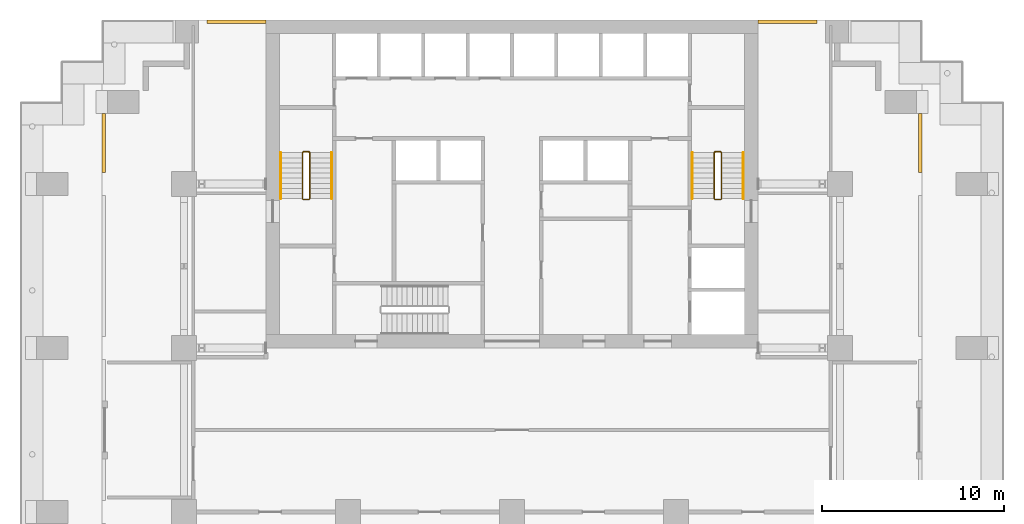
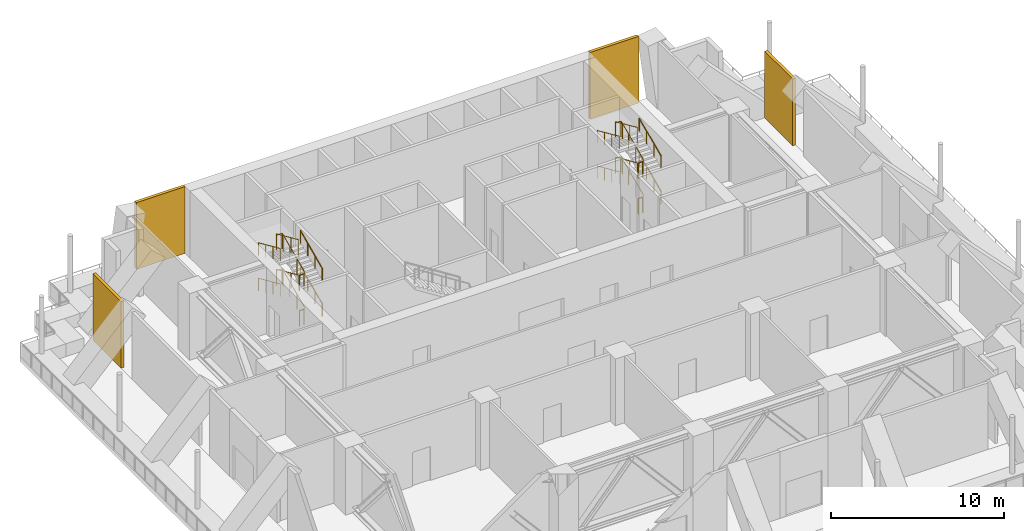
# One storey, part 8 of 9: 16 railings, 4 shading devices.
"""IFC4 building model written with IfcOpenShell, lengths in metres."""

from ifc_helpers import new_model, si_unit, direction, frame, origin, origin_2d, place, context, subcontext, project, spatial, polyline, circle, outline, extrude, material, layer, layer_set, type_object, element, save


model = new_model("IFC4")

# Units and contexts
model_context = context("Model", 3, precision=1e-05, world=origin(), true_north=direction((0.0, 1.0)))
body_context = subcontext(model_context, "Body", "Model", "MODEL_VIEW")
ifc_project = project(units=[si_unit("LENGTHUNIT", "METRE"), si_unit("AREAUNIT", "SQUARE_METRE"), si_unit("VOLUMEUNIT", "CUBIC_METRE"), si_unit("PLANEANGLEUNIT", "RADIAN"), si_unit("MASSUNIT", "GRAM", prefix="KILO")], contexts=[model_context])

# Site, building, storey
site_placement = place(None, origin())
site = spatial("IfcSite", under=ifc_project, at=site_placement, CompositionType="ELEMENT")
building_placement = place(site_placement, origin())
building = spatial("IfcBuilding", under=site, at=building_placement, Name="Orbiselva Terraces", CompositionType="ELEMENT")
storey_placement = place(building_placement, frame((0.0, 0.0, 115.0)))
storey = spatial("IfcBuildingStorey", under=building, at=storey_placement, Name="L29", CompositionType="ELEMENT", Elevation=115.0)

# Railings
ifc_material_1 = material(Name="Stainless steel", Category="steel")
railing_type_1 = type_object("IfcRailingType", Name="CORE-GUARD-1100", PredefinedType="GUARDRAIL", material=ifc_material_1)
railing_1_placement = place(storey_placement, frame((-11.1, 12.7, 0.125)))
element("IfcRailing", 1, at=railing_1_placement, inside=storey, type_object=railing_type_1, Name="L29 S1 stair guard 1", PredefinedType="GUARDRAIL", context=body_context, shape_type="SweptSolid", body=[
    extrude(circle(Radius=0.024, at=origin_2d()), frame((0.0, 0.0, 1.081), z_axis=(0.0, 0.913137882438, 0.407650840374), x_axis=(-1.0, 0.0, 0.0)), (0.0, 0.0, 1.0), 2.759715),
    extrude(circle(Radius=0.024, at=origin_2d()), frame((0.0, 2.52, 2.206), z_axis=(-0.707106781187, 0.707106781187, 0.0), x_axis=(-0.707106781187, -0.707106781187, 0.0)), (0.0, 0.0, 1.0), 0.070711),
    extrude(circle(Radius=0.024, at=origin_2d()), frame((-0.05, 2.57, 2.206), z_axis=(-1.0, 0.0, 0.0), x_axis=(0.0, -1.0, 0.0)), (0.0, 0.0, 1.0), 0.3),
    extrude(circle(Radius=0.024, at=origin_2d()), frame((-0.35, 2.57, 2.206), z_axis=(-0.348155311911, -0.348155311911, 0.870388279778), x_axis=(0.707106781187, -0.707106781187, 0.0)), (0.0, 0.0, 1.0), 0.143614),
    extrude(circle(Radius=0.024, at=origin_2d()), frame((-0.4, 2.52, 2.331), z_axis=(0.0, -0.913137882438, 0.407650840374), x_axis=(1.0, 0.0, 0.0)), (0.0, 0.0, 1.0), 2.759715),
    extrude(circle(Radius=0.021, at=origin_2d()), origin(), (0.0, 0.0, 1.0), 1.057),
    extrude(circle(Radius=0.021, at=origin_2d()), frame((0.0, 0.84, 0.375)), (0.0, 0.0, 1.0), 1.057),
    extrude(circle(Radius=0.021, at=origin_2d()), frame((0.0, 1.68, 0.75)), (0.0, 0.0, 1.0), 1.057),
    extrude(circle(Radius=0.021, at=origin_2d()), frame((0.0, 2.52, 1.125)), (0.0, 0.0, 1.0), 1.057),
    extrude(circle(Radius=0.021, at=origin_2d()), frame((-0.05, 2.57, 1.125)), (0.0, 0.0, 1.0), 1.057),
    extrude(circle(Radius=0.021, at=origin_2d()), frame((-0.35, 2.57, 1.125)), (0.0, 0.0, 1.0), 1.057),
    extrude(circle(Radius=0.021, at=origin_2d()), frame((-0.4, 2.52, 1.25)), (0.0, 0.0, 1.0), 1.057),
    extrude(circle(Radius=0.021, at=origin_2d()), frame((-0.4, 1.68, 1.625)), (0.0, 0.0, 1.0), 1.057),
    extrude(circle(Radius=0.021, at=origin_2d()), frame((-0.4, 0.84, 2.0)), (0.0, 0.0, 1.0), 1.057),
    extrude(circle(Radius=0.021, at=origin_2d()), frame((-0.4, 0.0, 2.375)), (0.0, 0.0, 1.0), 1.057),
])
railing_2_placement = place(storey_placement, frame((-11.15, 12.65, 2.5)))
element("IfcRailing", 2, at=railing_2_placement, inside=storey, type_object=railing_type_1, Name="L29 S1 stair guard 2", PredefinedType="GUARDRAIL", context=body_context, shape_type="SweptSolid", body=[
    extrude(circle(Radius=0.024, at=origin_2d()), frame((0.0, 0.0, 1.081), z_axis=(-1.0, 0.0, 0.0), x_axis=(0.0, -1.0, 0.0)), (0.0, 0.0, 1.0), 0.3),
    extrude(circle(Radius=0.021, at=origin_2d()), origin(), (0.0, 0.0, 1.0), 1.057),
    extrude(circle(Radius=0.021, at=origin_2d()), frame((-0.3, 0.0, 0.0)), (0.0, 0.0, 1.0), 1.057),
])
railing_3_placement = place(storey_placement, frame((-11.1, 12.7, 2.625)))
element("IfcRailing", 3, at=railing_3_placement, inside=storey, type_object=railing_type_1, Name="L29 S1 stair guard 3", PredefinedType="GUARDRAIL", context=body_context, shape_type="SweptSolid", body=[
    extrude(circle(Radius=0.024, at=origin_2d()), frame((0.0, 0.0, 1.081), z_axis=(0.0, 0.913137882438, 0.407650840374), x_axis=(-1.0, 0.0, 0.0)), (0.0, 0.0, 1.0), 2.759715),
    extrude(circle(Radius=0.024, at=origin_2d()), frame((0.0, 2.52, 2.206), z_axis=(-0.707106781187, 0.707106781187, 0.0), x_axis=(-0.707106781187, -0.707106781187, 0.0)), (0.0, 0.0, 1.0), 0.070711),
    extrude(circle(Radius=0.024, at=origin_2d()), frame((-0.05, 2.57, 2.206), z_axis=(-1.0, 0.0, 0.0), x_axis=(0.0, -1.0, 0.0)), (0.0, 0.0, 1.0), 0.3),
    extrude(circle(Radius=0.024, at=origin_2d()), frame((-0.35, 2.57, 2.206), z_axis=(-0.348155311911, -0.348155311911, 0.870388279778), x_axis=(0.707106781187, -0.707106781187, 0.0)), (0.0, 0.0, 1.0), 0.143614),
    extrude(circle(Radius=0.024, at=origin_2d()), frame((-0.4, 2.52, 2.331), z_axis=(0.0, -0.913137882438, 0.407650840374), x_axis=(1.0, 0.0, 0.0)), (0.0, 0.0, 1.0), 2.759715),
    extrude(circle(Radius=0.021, at=origin_2d()), origin(), (0.0, 0.0, 1.0), 1.057),
    extrude(circle(Radius=0.021, at=origin_2d()), frame((0.0, 0.84, 0.375)), (0.0, 0.0, 1.0), 1.057),
    extrude(circle(Radius=0.021, at=origin_2d()), frame((0.0, 1.68, 0.75)), (0.0, 0.0, 1.0), 1.057),
    extrude(circle(Radius=0.021, at=origin_2d()), frame((0.0, 2.52, 1.125)), (0.0, 0.0, 1.0), 1.057),
    extrude(circle(Radius=0.021, at=origin_2d()), frame((-0.05, 2.57, 1.125)), (0.0, 0.0, 1.0), 1.057),
    extrude(circle(Radius=0.021, at=origin_2d()), frame((-0.35, 2.57, 1.125)), (0.0, 0.0, 1.0), 1.057),
    extrude(circle(Radius=0.021, at=origin_2d()), frame((-0.4, 2.52, 1.25)), (0.0, 0.0, 1.0), 1.057),
    extrude(circle(Radius=0.021, at=origin_2d()), frame((-0.4, 1.68, 1.625)), (0.0, 0.0, 1.0), 1.057),
    extrude(circle(Radius=0.021, at=origin_2d()), frame((-0.4, 0.84, 2.0)), (0.0, 0.0, 1.0), 1.057),
    extrude(circle(Radius=0.021, at=origin_2d()), frame((-0.4, 0.0, 2.375)), (0.0, 0.0, 1.0), 1.057),
])
railing_4_placement = place(storey_placement, frame((-11.15, 12.65, 0.0)))
element("IfcRailing", 4, at=railing_4_placement, inside=storey, type_object=railing_type_1, Name="L29 S1 stair guard 4", PredefinedType="GUARDRAIL", context=body_context, shape_type="SweptSolid", body=[
    extrude(circle(Radius=0.024, at=origin_2d()), frame((0.0, 0.0, 1.081), z_axis=(-1.0, 0.0, 0.0), x_axis=(0.0, -1.0, 0.0)), (0.0, 0.0, 1.0), 0.3),
    extrude(circle(Radius=0.021, at=origin_2d()), origin(), (0.0, 0.0, 1.0), 1.057),
    extrude(circle(Radius=0.021, at=origin_2d()), frame((-0.3, 0.0, 0.0)), (0.0, 0.0, 1.0), 1.057),
])
railing_5_placement = place(storey_placement, frame((11.5, 12.7, 0.125)))
element("IfcRailing", 5, at=railing_5_placement, inside=storey, type_object=railing_type_1, Name="L29 S2 stair guard 1", PredefinedType="GUARDRAIL", context=body_context, shape_type="SweptSolid", body=[
    extrude(circle(Radius=0.024, at=origin_2d()), frame((0.0, 0.0, 1.081), z_axis=(0.0, 0.913137882438, 0.407650840374), x_axis=(-1.0, 0.0, 0.0)), (0.0, 0.0, 1.0), 2.759715),
    extrude(circle(Radius=0.024, at=origin_2d()), frame((0.0, 2.52, 2.206), z_axis=(-0.707106781187, 0.707106781187, 0.0), x_axis=(-0.707106781187, -0.707106781187, 0.0)), (0.0, 0.0, 1.0), 0.070711),
    extrude(circle(Radius=0.024, at=origin_2d()), frame((-0.05, 2.57, 2.206), z_axis=(-1.0, 0.0, 0.0), x_axis=(0.0, -1.0, 0.0)), (0.0, 0.0, 1.0), 0.3),
    extrude(circle(Radius=0.024, at=origin_2d()), frame((-0.35, 2.57, 2.206), z_axis=(-0.348155311911, -0.348155311911, 0.870388279778), x_axis=(0.707106781187, -0.707106781187, 0.0)), (0.0, 0.0, 1.0), 0.143614),
    extrude(circle(Radius=0.024, at=origin_2d()), frame((-0.4, 2.52, 2.331), z_axis=(0.0, -0.913137882438, 0.407650840374), x_axis=(1.0, 0.0, 0.0)), (0.0, 0.0, 1.0), 2.759715),
    extrude(circle(Radius=0.021, at=origin_2d()), origin(), (0.0, 0.0, 1.0), 1.057),
    extrude(circle(Radius=0.021, at=origin_2d()), frame((0.0, 0.84, 0.375)), (0.0, 0.0, 1.0), 1.057),
    extrude(circle(Radius=0.021, at=origin_2d()), frame((0.0, 1.68, 0.75)), (0.0, 0.0, 1.0), 1.057),
    extrude(circle(Radius=0.021, at=origin_2d()), frame((0.0, 2.52, 1.125)), (0.0, 0.0, 1.0), 1.057),
    extrude(circle(Radius=0.021, at=origin_2d()), frame((-0.05, 2.57, 1.125)), (0.0, 0.0, 1.0), 1.057),
    extrude(circle(Radius=0.021, at=origin_2d()), frame((-0.35, 2.57, 1.125)), (0.0, 0.0, 1.0), 1.057),
    extrude(circle(Radius=0.021, at=origin_2d()), frame((-0.4, 2.52, 1.25)), (0.0, 0.0, 1.0), 1.057),
    extrude(circle(Radius=0.021, at=origin_2d()), frame((-0.4, 1.68, 1.625)), (0.0, 0.0, 1.0), 1.057),
    extrude(circle(Radius=0.021, at=origin_2d()), frame((-0.4, 0.84, 2.0)), (0.0, 0.0, 1.0), 1.057),
    extrude(circle(Radius=0.021, at=origin_2d()), frame((-0.4, 0.0, 2.375)), (0.0, 0.0, 1.0), 1.057),
])
railing_6_placement = place(storey_placement, frame((11.45, 12.65, 2.5)))
element("IfcRailing", 6, at=railing_6_placement, inside=storey, type_object=railing_type_1, Name="L29 S2 stair guard 2", PredefinedType="GUARDRAIL", context=body_context, shape_type="SweptSolid", body=[
    extrude(circle(Radius=0.024, at=origin_2d()), frame((0.0, 0.0, 1.081), z_axis=(-1.0, 0.0, 0.0), x_axis=(0.0, -1.0, 0.0)), (0.0, 0.0, 1.0), 0.3),
    extrude(circle(Radius=0.021, at=origin_2d()), origin(), (0.0, 0.0, 1.0), 1.057),
    extrude(circle(Radius=0.021, at=origin_2d()), frame((-0.3, 0.0, 0.0)), (0.0, 0.0, 1.0), 1.057),
])
railing_7_placement = place(storey_placement, frame((11.5, 12.7, 2.625)))
element("IfcRailing", 7, at=railing_7_placement, inside=storey, type_object=railing_type_1, Name="L29 S2 stair guard 3", PredefinedType="GUARDRAIL", context=body_context, shape_type="SweptSolid", body=[
    extrude(circle(Radius=0.024, at=origin_2d()), frame((0.0, 0.0, 1.081), z_axis=(0.0, 0.913137882438, 0.407650840374), x_axis=(-1.0, 0.0, 0.0)), (0.0, 0.0, 1.0), 2.759715),
    extrude(circle(Radius=0.024, at=origin_2d()), frame((0.0, 2.52, 2.206), z_axis=(-0.707106781187, 0.707106781187, 0.0), x_axis=(-0.707106781187, -0.707106781187, 0.0)), (0.0, 0.0, 1.0), 0.070711),
    extrude(circle(Radius=0.024, at=origin_2d()), frame((-0.05, 2.57, 2.206), z_axis=(-1.0, 0.0, 0.0), x_axis=(0.0, -1.0, 0.0)), (0.0, 0.0, 1.0), 0.3),
    extrude(circle(Radius=0.024, at=origin_2d()), frame((-0.35, 2.57, 2.206), z_axis=(-0.348155311911, -0.348155311911, 0.870388279778), x_axis=(0.707106781187, -0.707106781187, 0.0)), (0.0, 0.0, 1.0), 0.143614),
    extrude(circle(Radius=0.024, at=origin_2d()), frame((-0.4, 2.52, 2.331), z_axis=(0.0, -0.913137882438, 0.407650840374), x_axis=(1.0, 0.0, 0.0)), (0.0, 0.0, 1.0), 2.759715),
    extrude(circle(Radius=0.021, at=origin_2d()), origin(), (0.0, 0.0, 1.0), 1.057),
    extrude(circle(Radius=0.021, at=origin_2d()), frame((0.0, 0.84, 0.375)), (0.0, 0.0, 1.0), 1.057),
    extrude(circle(Radius=0.021, at=origin_2d()), frame((0.0, 1.68, 0.75)), (0.0, 0.0, 1.0), 1.057),
    extrude(circle(Radius=0.021, at=origin_2d()), frame((0.0, 2.52, 1.125)), (0.0, 0.0, 1.0), 1.057),
    extrude(circle(Radius=0.021, at=origin_2d()), frame((-0.05, 2.57, 1.125)), (0.0, 0.0, 1.0), 1.057),
    extrude(circle(Radius=0.021, at=origin_2d()), frame((-0.35, 2.57, 1.125)), (0.0, 0.0, 1.0), 1.057),
    extrude(circle(Radius=0.021, at=origin_2d()), frame((-0.4, 2.52, 1.25)), (0.0, 0.0, 1.0), 1.057),
    extrude(circle(Radius=0.021, at=origin_2d()), frame((-0.4, 1.68, 1.625)), (0.0, 0.0, 1.0), 1.057),
    extrude(circle(Radius=0.021, at=origin_2d()), frame((-0.4, 0.84, 2.0)), (0.0, 0.0, 1.0), 1.057),
    extrude(circle(Radius=0.021, at=origin_2d()), frame((-0.4, 0.0, 2.375)), (0.0, 0.0, 1.0), 1.057),
])
railing_8_placement = place(storey_placement, frame((11.45, 12.65, 0.0)))
element("IfcRailing", 8, at=railing_8_placement, inside=storey, type_object=railing_type_1, Name="L29 S2 stair guard 4", PredefinedType="GUARDRAIL", context=body_context, shape_type="SweptSolid", body=[
    extrude(circle(Radius=0.024, at=origin_2d()), frame((0.0, 0.0, 1.081), z_axis=(-1.0, 0.0, 0.0), x_axis=(0.0, -1.0, 0.0)), (0.0, 0.0, 1.0), 0.3),
    extrude(circle(Radius=0.021, at=origin_2d()), origin(), (0.0, 0.0, 1.0), 1.057),
    extrude(circle(Radius=0.021, at=origin_2d()), frame((-0.3, 0.0, 0.0)), (0.0, 0.0, 1.0), 1.057),
])
railing_type_2 = type_object("IfcRailingType", Name="CORE-HANDRAIL-900", PredefinedType="HANDRAIL", material=ifc_material_1)
railing_9_placement = place(storey_placement, frame((-9.9, 12.7, 0.125)))
element("IfcRailing", 9, at=railing_9_placement, inside=storey, type_object=railing_type_2, Name="L29 S1 stair handrail 1", PredefinedType="HANDRAIL", context=body_context, shape_type="SweptSolid", body=[
    extrude(circle(Radius=0.024, at=origin_2d()), frame((0.0, 0.0, 0.876), z_axis=(0.0, 0.913137882438, 0.407650840374), x_axis=(-1.0, 0.0, 0.0)), (0.0, 0.0, 1.0), 2.759715),
    extrude(circle(Radius=0.021, at=origin_2d()), origin(), (0.0, 0.0, 1.0), 0.852),
    extrude(circle(Radius=0.021, at=origin_2d()), frame((0.0, 0.84, 0.375)), (0.0, 0.0, 1.0), 0.852),
    extrude(circle(Radius=0.021, at=origin_2d()), frame((0.0, 1.68, 0.75)), (0.0, 0.0, 1.0), 0.852),
    extrude(circle(Radius=0.021, at=origin_2d()), frame((0.0, 2.52, 1.125)), (0.0, 0.0, 1.0), 0.852),
])
railing_10_placement = place(storey_placement, frame((-12.7, 15.22, 1.375)))
element("IfcRailing", 10, at=railing_10_placement, inside=storey, type_object=railing_type_2, Name="L29 S1 stair handrail 2", PredefinedType="HANDRAIL", context=body_context, shape_type="SweptSolid", body=[
    extrude(circle(Radius=0.024, at=origin_2d()), frame((0.0, 0.0, 0.876), z_axis=(0.0, -0.913137882438, 0.407650840374), x_axis=(1.0, 0.0, 0.0)), (0.0, 0.0, 1.0), 2.759715),
    extrude(circle(Radius=0.021, at=origin_2d()), origin(), (0.0, 0.0, 1.0), 0.852),
    extrude(circle(Radius=0.021, at=origin_2d()), frame((0.0, -0.84, 0.375)), (0.0, 0.0, 1.0), 0.852),
    extrude(circle(Radius=0.021, at=origin_2d()), frame((0.0, -1.68, 0.75)), (0.0, 0.0, 1.0), 0.852),
    extrude(circle(Radius=0.021, at=origin_2d()), frame((0.0, -2.52, 1.125)), (0.0, 0.0, 1.0), 0.852),
])
railing_11_placement = place(storey_placement, frame((-9.9, 12.7, 2.625)))
element("IfcRailing", 11, at=railing_11_placement, inside=storey, type_object=railing_type_2, Name="L29 S1 stair handrail 3", PredefinedType="HANDRAIL", context=body_context, shape_type="SweptSolid", body=[
    extrude(circle(Radius=0.024, at=origin_2d()), frame((0.0, 0.0, 0.876), z_axis=(0.0, 0.913137882438, 0.407650840374), x_axis=(-1.0, 0.0, 0.0)), (0.0, 0.0, 1.0), 2.759715),
    extrude(circle(Radius=0.021, at=origin_2d()), origin(), (0.0, 0.0, 1.0), 0.852),
    extrude(circle(Radius=0.021, at=origin_2d()), frame((0.0, 0.84, 0.375)), (0.0, 0.0, 1.0), 0.852),
    extrude(circle(Radius=0.021, at=origin_2d()), frame((0.0, 1.68, 0.75)), (0.0, 0.0, 1.0), 0.852),
    extrude(circle(Radius=0.021, at=origin_2d()), frame((0.0, 2.52, 1.125)), (0.0, 0.0, 1.0), 0.852),
])
railing_12_placement = place(storey_placement, frame((-12.7, 15.22, 3.875)))
element("IfcRailing", 12, at=railing_12_placement, inside=storey, type_object=railing_type_2, Name="L29 S1 stair handrail 4", PredefinedType="HANDRAIL", context=body_context, shape_type="SweptSolid", body=[
    extrude(circle(Radius=0.024, at=origin_2d()), frame((0.0, 0.0, 0.876), z_axis=(0.0, -0.913137882438, 0.407650840374), x_axis=(1.0, 0.0, 0.0)), (0.0, 0.0, 1.0), 2.759715),
    extrude(circle(Radius=0.021, at=origin_2d()), origin(), (0.0, 0.0, 1.0), 0.852),
    extrude(circle(Radius=0.021, at=origin_2d()), frame((0.0, -0.84, 0.375)), (0.0, 0.0, 1.0), 0.852),
    extrude(circle(Radius=0.021, at=origin_2d()), frame((0.0, -1.68, 0.75)), (0.0, 0.0, 1.0), 0.852),
    extrude(circle(Radius=0.021, at=origin_2d()), frame((0.0, -2.52, 1.125)), (0.0, 0.0, 1.0), 0.852),
])
railing_13_placement = place(storey_placement, frame((12.7, 12.7, 0.125)))
element("IfcRailing", 13, at=railing_13_placement, inside=storey, type_object=railing_type_2, Name="L29 S2 stair handrail 1", PredefinedType="HANDRAIL", context=body_context, shape_type="SweptSolid", body=[
    extrude(circle(Radius=0.024, at=origin_2d()), frame((0.0, 0.0, 0.876), z_axis=(0.0, 0.913137882438, 0.407650840374), x_axis=(-1.0, 0.0, 0.0)), (0.0, 0.0, 1.0), 2.759715),
    extrude(circle(Radius=0.021, at=origin_2d()), origin(), (0.0, 0.0, 1.0), 0.852),
    extrude(circle(Radius=0.021, at=origin_2d()), frame((0.0, 0.84, 0.375)), (0.0, 0.0, 1.0), 0.852),
    extrude(circle(Radius=0.021, at=origin_2d()), frame((0.0, 1.68, 0.75)), (0.0, 0.0, 1.0), 0.852),
    extrude(circle(Radius=0.021, at=origin_2d()), frame((0.0, 2.52, 1.125)), (0.0, 0.0, 1.0), 0.852),
])
railing_14_placement = place(storey_placement, frame((9.9, 15.22, 1.375)))
element("IfcRailing", 14, at=railing_14_placement, inside=storey, type_object=railing_type_2, Name="L29 S2 stair handrail 2", PredefinedType="HANDRAIL", context=body_context, shape_type="SweptSolid", body=[
    extrude(circle(Radius=0.024, at=origin_2d()), frame((0.0, 0.0, 0.876), z_axis=(0.0, -0.913137882438, 0.407650840374), x_axis=(1.0, 0.0, 0.0)), (0.0, 0.0, 1.0), 2.759715),
    extrude(circle(Radius=0.021, at=origin_2d()), origin(), (0.0, 0.0, 1.0), 0.852),
    extrude(circle(Radius=0.021, at=origin_2d()), frame((0.0, -0.84, 0.375)), (0.0, 0.0, 1.0), 0.852),
    extrude(circle(Radius=0.021, at=origin_2d()), frame((0.0, -1.68, 0.75)), (0.0, 0.0, 1.0), 0.852),
    extrude(circle(Radius=0.021, at=origin_2d()), frame((0.0, -2.52, 1.125)), (0.0, 0.0, 1.0), 0.852),
])
railing_15_placement = place(storey_placement, frame((12.7, 12.7, 2.625)))
element("IfcRailing", 15, at=railing_15_placement, inside=storey, type_object=railing_type_2, Name="L29 S2 stair handrail 3", PredefinedType="HANDRAIL", context=body_context, shape_type="SweptSolid", body=[
    extrude(circle(Radius=0.024, at=origin_2d()), frame((0.0, 0.0, 0.876), z_axis=(0.0, 0.913137882438, 0.407650840374), x_axis=(-1.0, 0.0, 0.0)), (0.0, 0.0, 1.0), 2.759715),
    extrude(circle(Radius=0.021, at=origin_2d()), origin(), (0.0, 0.0, 1.0), 0.852),
    extrude(circle(Radius=0.021, at=origin_2d()), frame((0.0, 0.84, 0.375)), (0.0, 0.0, 1.0), 0.852),
    extrude(circle(Radius=0.021, at=origin_2d()), frame((0.0, 1.68, 0.75)), (0.0, 0.0, 1.0), 0.852),
    extrude(circle(Radius=0.021, at=origin_2d()), frame((0.0, 2.52, 1.125)), (0.0, 0.0, 1.0), 0.852),
])
railing_16_placement = place(storey_placement, frame((9.9, 15.22, 3.875)))
element("IfcRailing", 16, at=railing_16_placement, inside=storey, type_object=railing_type_2, Name="L29 S2 stair handrail 4", PredefinedType="HANDRAIL", context=body_context, shape_type="SweptSolid", body=[
    extrude(circle(Radius=0.024, at=origin_2d()), frame((0.0, 0.0, 0.876), z_axis=(0.0, -0.913137882438, 0.407650840374), x_axis=(1.0, 0.0, 0.0)), (0.0, 0.0, 1.0), 2.759715),
    extrude(circle(Radius=0.021, at=origin_2d()), origin(), (0.0, 0.0, 1.0), 0.852),
    extrude(circle(Radius=0.021, at=origin_2d()), frame((0.0, -0.84, 0.375)), (0.0, 0.0, 1.0), 0.852),
    extrude(circle(Radius=0.021, at=origin_2d()), frame((0.0, -1.68, 0.75)), (0.0, 0.0, 1.0), 0.852),
    extrude(circle(Radius=0.021, at=origin_2d()), frame((0.0, -2.52, 1.125)), (0.0, 0.0, 1.0), 0.852),
])

# Shading devices
ifc_material_2 = material(Name="Terracotta louvre blades", Category="masonry")
ifc_layer = layer(ifc_material_2, 0.2)
ifc_layer_set = layer_set([ifc_layer], Name="Terracotta louvre blades")
shading_device_type = type_object("IfcShadingDeviceType", Name="ENV-LOUVRE-WALL-200", PredefinedType="USERDEFINED", material=ifc_layer_set)
shading_device_1_placement = place(storey_placement, origin())
element("IfcShadingDevice", 17, at=shading_device_1_placement, inside=storey, type_object=shading_device_type, Name="Louvre wall L29 E", ObjectType="LOUVRE", PredefinedType="USERDEFINED", context=body_context, shape_type="SweptSolid", body=[
    extrude(outline(polyline([(22.5, 14.125), (22.5, 17.375), (22.3, 17.375), (22.3, 14.125), (22.5, 14.125)])), origin(), (0.0, 0.0, 1.0), 4.7),
])
shading_device_2_placement = place(storey_placement, origin())
element("IfcShadingDevice", 18, at=shading_device_2_placement, inside=storey, type_object=shading_device_type, Name="Louvre wall L29 NE", ObjectType="LOUVRE", PredefinedType="USERDEFINED", context=body_context, shape_type="SweptSolid", body=[
    extrude(outline(polyline([(16.75, 22.5), (13.5, 22.5), (13.5, 22.3), (16.75, 22.3), (16.75, 22.5)])), origin(), (0.0, 0.0, 1.0), 4.7),
])
shading_device_3_placement = place(storey_placement, origin())
element("IfcShadingDevice", 19, at=shading_device_3_placement, inside=storey, type_object=shading_device_type, Name="Louvre wall L29 NW", ObjectType="LOUVRE", PredefinedType="USERDEFINED", context=body_context, shape_type="SweptSolid", body=[
    extrude(outline(polyline([(-13.5, 22.5), (-16.75, 22.5), (-16.75, 22.3), (-13.5, 22.3), (-13.5, 22.5)])), origin(), (0.0, 0.0, 1.0), 4.7),
])
shading_device_4_placement = place(storey_placement, origin())
element("IfcShadingDevice", 20, at=shading_device_4_placement, inside=storey, type_object=shading_device_type, Name="Louvre wall L29 W", ObjectType="LOUVRE", PredefinedType="USERDEFINED", context=body_context, shape_type="SweptSolid", body=[
    extrude(outline(polyline([(-22.5, 17.375), (-22.5, 14.125), (-22.3, 14.125), (-22.3, 17.375), (-22.5, 17.375)])), origin(), (0.0, 0.0, 1.0), 4.7),
])

save(model, "model.ifc")
